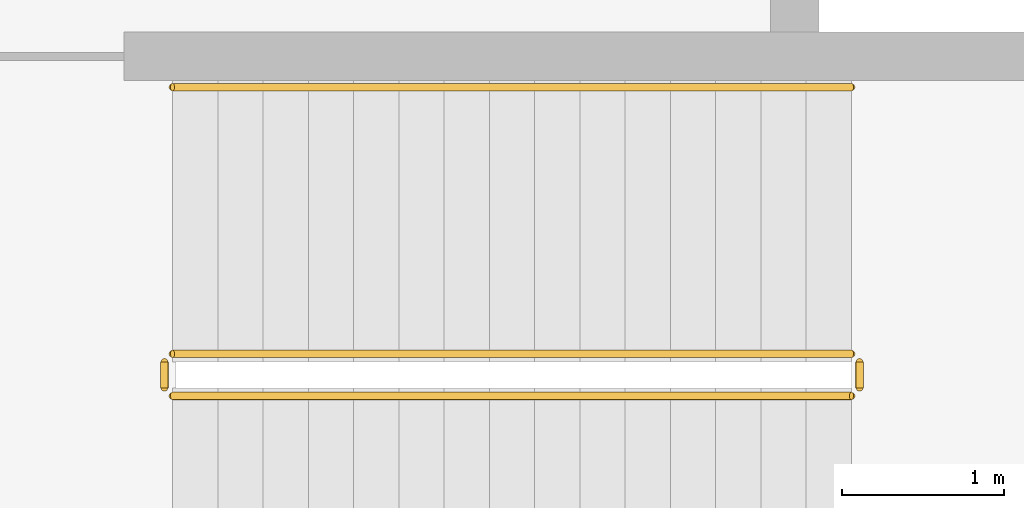
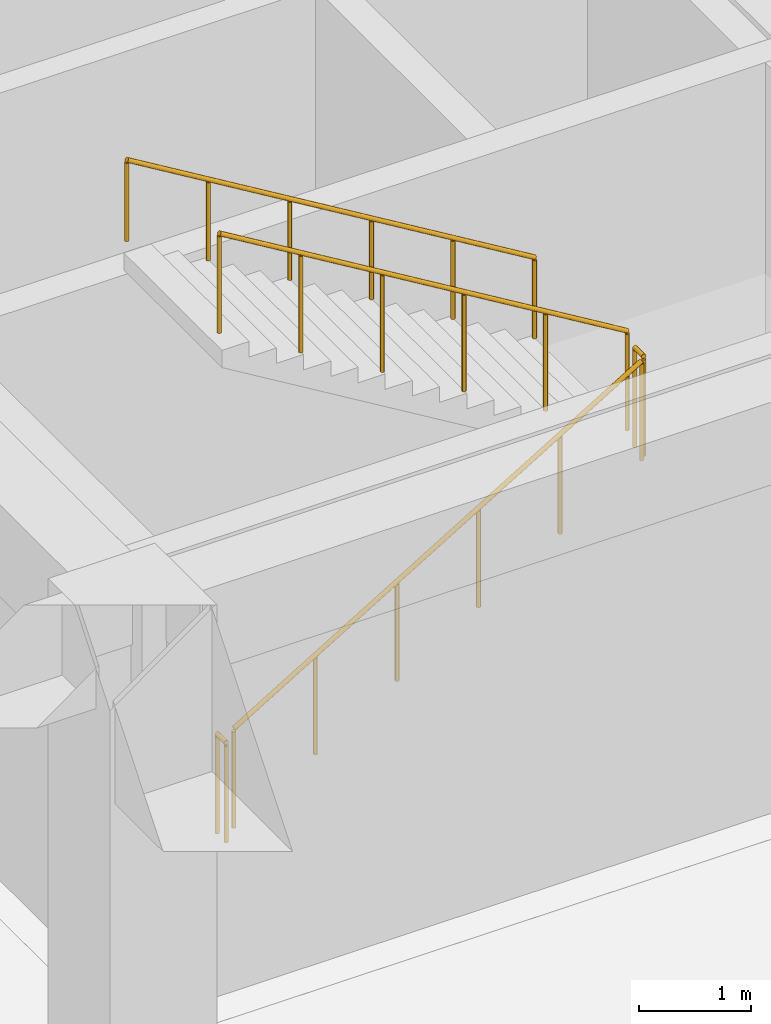
# One storey, part 17 of 19: 5 railings.
"""IFC4 building model written with IfcOpenShell, lengths in metres."""

from ifc_helpers import new_model, si_unit, direction, frame, origin, origin_2d, place, context, subcontext, project, spatial, circle, extrude, material, type_object, element, save


model = new_model("IFC4")

# Units and contexts
model_context = context("Model", 3, precision=1e-05, world=origin(), true_north=direction((0.0, 1.0)))
body_context = subcontext(model_context, "Body", "Model", "MODEL_VIEW")
ifc_project = project(units=[si_unit("LENGTHUNIT", "METRE"), si_unit("AREAUNIT", "SQUARE_METRE"), si_unit("VOLUMEUNIT", "CUBIC_METRE"), si_unit("PLANEANGLEUNIT", "RADIAN"), si_unit("MASSUNIT", "GRAM", prefix="KILO")], contexts=[model_context])

# Site, building, storey
site_placement = place(None, origin())
site = spatial("IfcSite", under=ifc_project, at=site_placement, CompositionType="ELEMENT")
building_placement = place(site_placement, origin())
building = spatial("IfcBuilding", under=site, at=building_placement, Name="Coralgate Yard Interchange", CompositionType="ELEMENT")
storey_placement = place(building_placement, frame((0.0, 0.0, -5.39990234375)))
storey = spatial("IfcBuildingStorey", under=building, at=storey_placement, Name="B1", CompositionType="ELEMENT", Elevation=-5.39990234375)

# Railings
ifc_material_1 = material(Name="Grade 316 marine stainless steel and toughened glass balustrade", Category="steel")
railing_type_1 = type_object("IfcRailingType", Name="RLG-GD1100", PredefinedType="BALUSTRADE", material=ifc_material_1)
railing_1_placement = place(storey_placement, frame((127.199951171875, 69.550048828125, 0.168701171875)))
element("IfcRailing", 1, at=railing_1_placement, inside=storey, type_object=railing_type_1, Name="B1 ST-07 stair guard 1", PredefinedType="BALUSTRADE", context=body_context, shape_type="SweptSolid", body=[
    extrude(circle(Radius=0.02392578125, at=origin_2d()), frame((0.0, 0.0, 1.076171875), z_axis=(0.856476492594, 0.0, 0.516186030065), x_axis=(0.0, 1.0, 0.0)), (0.0, 0.0, 1.0), 4.90380859375),
    extrude(circle(Radius=0.02099609375, at=origin_2d()), origin(), (0.0, 0.0, 1.0), 1.051513671875),
    extrude(circle(Radius=0.02099609375, at=origin_2d()), frame((0.840087890625, 0.0, 0.50634765625)), (0.0, 0.0, 1.0), 1.051513671875),
    extrude(circle(Radius=0.02099609375, at=origin_2d()), frame((1.679931640625, 0.0, 1.012451171875)), (0.0, 0.0, 1.0), 1.051513671875),
    extrude(circle(Radius=0.02099609375, at=origin_2d()), frame((2.52001953125, 0.0, 1.518798828125)), (0.0, 0.0, 1.0), 1.051513671875),
    extrude(circle(Radius=0.02099609375, at=origin_2d()), frame((3.35986328125, 0.0, 2.02490234375)), (0.0, 0.0, 1.0), 1.051513671875),
    extrude(circle(Radius=0.02099609375, at=origin_2d()), frame((4.199951171875, 0.0, 2.53125)), (0.0, 0.0, 1.0), 1.051513671875),
])
railing_2_placement = place(storey_placement, frame((131.449951171875, 69.60009765625, 2.699951171875)))
element("IfcRailing", 2, at=railing_2_placement, inside=storey, type_object=railing_type_1, Name="B1 ST-07 stair guard 2", PredefinedType="BALUSTRADE", context=body_context, shape_type="SweptSolid", body=[
    extrude(circle(Radius=0.02392578125, at=origin_2d()), frame((0.0, 0.0, 1.076171875), z_axis=(0.0, 1.0, 0.0), x_axis=(-1.0, 0.0, 0.0)), (0.0, 0.0, 1.0), 0.159912109375),
    extrude(circle(Radius=0.02099609375, at=origin_2d()), origin(), (0.0, 0.0, 1.0), 1.051513671875),
    extrude(circle(Radius=0.02099609375, at=origin_2d()), frame((0.0, 0.159912109375, 0.0)), (0.0, 0.0, 1.0), 1.051513671875),
])
railing_3_placement = place(storey_placement, frame((131.39990234375, 69.81005859375, 2.86865234375)))
element("IfcRailing", 3, at=railing_3_placement, inside=storey, type_object=railing_type_1, Name="B1 ST-07 stair guard 3", PredefinedType="BALUSTRADE", context=body_context, shape_type="SweptSolid", body=[
    extrude(circle(Radius=0.02392578125, at=origin_2d()), frame((0.0, 0.0, 1.076171875), z_axis=(-0.856476492594, 0.0, 0.516186030065), x_axis=(0.0, -1.0, 0.0)), (0.0, 0.0, 1.0), 4.90380859375),
    extrude(circle(Radius=0.02099609375, at=origin_2d()), origin(), (0.0, 0.0, 1.0), 1.051513671875),
    extrude(circle(Radius=0.02099609375, at=origin_2d()), frame((-0.840087890625, 0.0, 0.50634765625)), (0.0, 0.0, 1.0), 1.051513671875),
    extrude(circle(Radius=0.02099609375, at=origin_2d()), frame((-1.679931640625, 0.0, 1.012451171875)), (0.0, 0.0, 1.0), 1.051513671875),
    extrude(circle(Radius=0.02099609375, at=origin_2d()), frame((-2.52001953125, 0.0, 1.518798828125)), (0.0, 0.0, 1.0), 1.051513671875),
    extrude(circle(Radius=0.02099609375, at=origin_2d()), frame((-3.35986328125, 0.0, 2.02490234375)), (0.0, 0.0, 1.0), 1.051513671875),
    extrude(circle(Radius=0.02099609375, at=origin_2d()), frame((-4.199951171875, 0.0, 2.53125)), (0.0, 0.0, 1.0), 1.051513671875),
])
railing_4_placement = place(storey_placement, frame((127.14990234375, 69.60009765625, 0.0)))
element("IfcRailing", 4, at=railing_4_placement, inside=storey, type_object=railing_type_1, Name="B1 ST-07 stair guard 4", PredefinedType="BALUSTRADE", context=body_context, shape_type="SweptSolid", body=[
    extrude(circle(Radius=0.02392578125, at=origin_2d()), frame((0.0, 0.0, 1.076171875), z_axis=(0.0, 1.0, 0.0), x_axis=(-1.0, 0.0, 0.0)), (0.0, 0.0, 1.0), 0.159912109375),
    extrude(circle(Radius=0.02099609375, at=origin_2d()), origin(), (0.0, 0.0, 1.0), 1.051513671875),
    extrude(circle(Radius=0.02099609375, at=origin_2d()), frame((0.0, 0.159912109375, 0.0)), (0.0, 0.0, 1.0), 1.051513671875),
])
ifc_material_2 = material(Name="Grade 316 marine stainless steel", Category="steel")
railing_type_2 = type_object("IfcRailingType", Name="RLG-HR900", PredefinedType="HANDRAIL", material=ifc_material_2)
railing_5_placement = place(storey_placement, frame((131.39990234375, 71.4599609375, 2.86865234375)))
element("IfcRailing", 5, at=railing_5_placement, inside=storey, type_object=railing_type_2, Name="B1 ST-07 stair handrail 2", PredefinedType="HANDRAIL", context=body_context, shape_type="SweptSolid", body=[
    extrude(circle(Radius=0.02392578125, at=origin_2d()), frame((0.0, 0.0, 0.8759765625), z_axis=(-0.856476492594, 0.0, 0.516186030065), x_axis=(0.0, -1.0, 0.0)), (0.0, 0.0, 1.0), 4.90380859375),
    extrude(circle(Radius=0.02099609375, at=origin_2d()), origin(), (0.0, 0.0, 1.0), 0.851318359375),
    extrude(circle(Radius=0.02099609375, at=origin_2d()), frame((-0.840087890625, 0.0, 0.50634765625)), (0.0, 0.0, 1.0), 0.851318359375),
    extrude(circle(Radius=0.02099609375, at=origin_2d()), frame((-1.679931640625, 0.0, 1.012451171875)), (0.0, 0.0, 1.0), 0.851318359375),
    extrude(circle(Radius=0.02099609375, at=origin_2d()), frame((-2.52001953125, 0.0, 1.518798828125)), (0.0, 0.0, 1.0), 0.851318359375),
    extrude(circle(Radius=0.02099609375, at=origin_2d()), frame((-3.35986328125, 0.0, 2.02490234375)), (0.0, 0.0, 1.0), 0.851318359375),
    extrude(circle(Radius=0.02099609375, at=origin_2d()), frame((-4.199951171875, 0.0, 2.53125)), (0.0, 0.0, 1.0), 0.851318359375),
])

save(model, "model.ifc")
